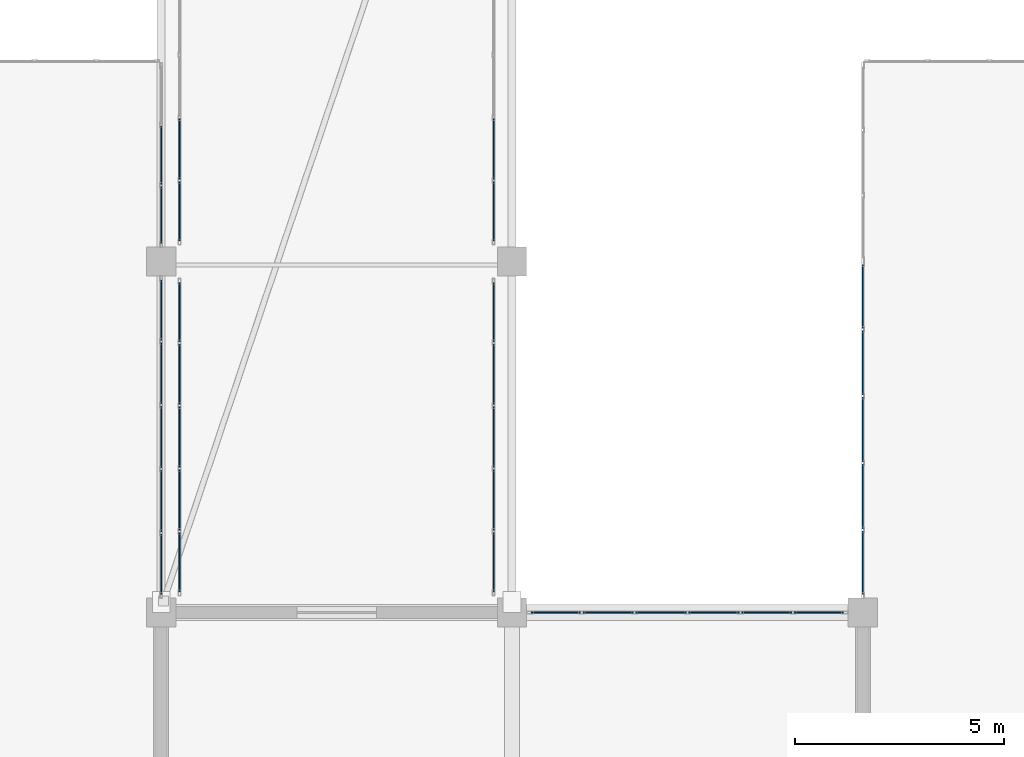
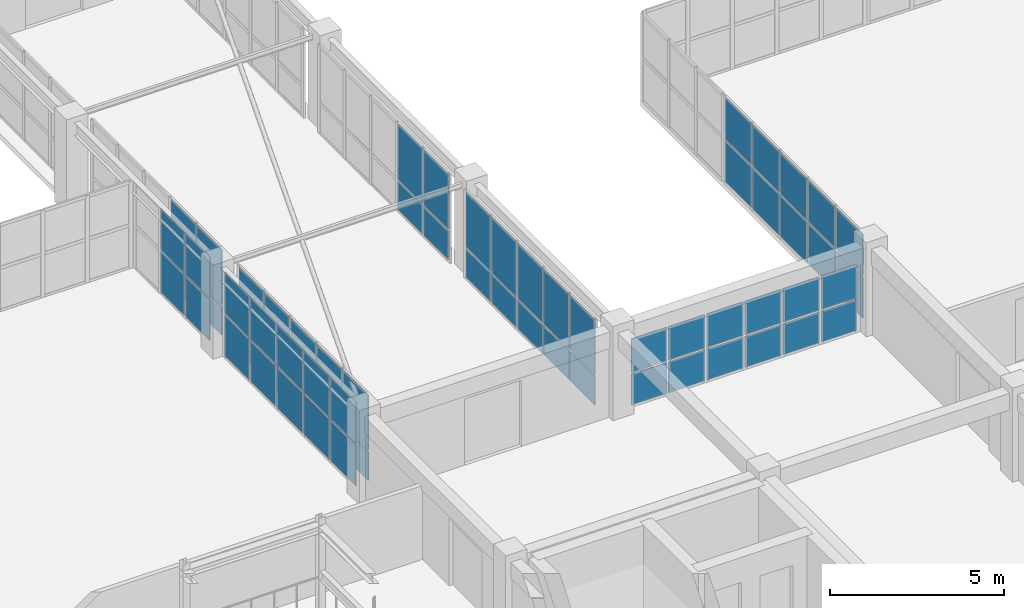
# One storey, part 104 of 148: 64 plates, 8 elements without a shape of their own.
"""IFC4 building model written with IfcOpenShell, lengths in metres."""

from ifc_helpers import new_model, si_unit, direction, frame, origin, origin_2d, place, context, subcontext, project, spatial, rectangle, extrude, material, layer, layer_set, type_object, element, aggregate, save


model = new_model("IFC4")

# Units and contexts
model_context = context("Model", 3, precision=1e-05, world=origin(), true_north=direction((0.0, 1.0)))
body_context = subcontext(model_context, "Body", "Model", "MODEL_VIEW")
ifc_project = project(units=[si_unit("LENGTHUNIT", "METRE"), si_unit("AREAUNIT", "SQUARE_METRE"), si_unit("VOLUMEUNIT", "CUBIC_METRE"), si_unit("PLANEANGLEUNIT", "RADIAN"), si_unit("MASSUNIT", "GRAM", prefix="KILO")], contexts=[model_context])

# Site, building, storey
site_placement = place(None, origin())
site = spatial("IfcSite", under=ifc_project, at=site_placement, CompositionType="ELEMENT")
building_placement = place(site_placement, origin())
building = spatial("IfcBuilding", under=site, at=building_placement, Name="Trelvath General Hospital", CompositionType="ELEMENT")
storey_placement = place(building_placement, frame((0.0, 0.0, 12.89990234375)))
storey = spatial("IfcBuildingStorey", under=building, at=storey_placement, Name="L03", CompositionType="ELEMENT", Elevation=12.89990234375)

# Curtain wall, plates
ifc_material_1 = material(Name="Anodised aluminium and low-E glass", Category="aluminium")
ifc_layer_1 = layer(ifc_material_1, 0.14990234375)
ifc_layer_set_1 = layer_set([ifc_layer_1], Name="Anodised aluminium and low-E glass")
curtain_wall_type_1 = type_object("IfcCurtainWallType", Name="CW CrystalCube 764 306 15", PredefinedType="USERDEFINED", material=ifc_layer_set_1)
curtain_wall_1_placement = place(storey_placement, origin())
curtain_wall_1 = element("IfcCurtainWall", 1, at=curtain_wall_1_placement, inside=storey, type_object=curtain_wall_type_1, Name="Crystal Cube Curtain Wall CUBE-W-T1 E4 L03", ObjectType="Unitised Glazed Curtain Wall", PredefinedType="USERDEFINED")
ifc_material_2 = material(Name="Low-E laminated glass", Category="glass")
ifc_layer_2 = layer(ifc_material_2, 0.028076171875)
ifc_layer_set_2 = layer_set([ifc_layer_2], Name="Low-E laminated glass")
plate_type_1 = type_object("IfcPlateType", Name="CurtainPanel Glass28", PredefinedType="CURTAIN_PANEL", material=ifc_layer_set_2)
plate_1_placement = place(storey_placement, frame((75.60009765625, 74.44091796875, 0.06005859375), z_axis=(0.0, 0.0, 1.0), x_axis=(0.0, -1.0, 0.0)))
plate_1 = element("IfcPlate", 2, at=plate_1_placement, type_object=plate_type_1, Name="CW-241 panel 1.1", PredefinedType="CURTAIN_PANEL", context=body_context, shape_type="SweptSolid", body=[
    extrude(rectangle(XDim=1.43798828125, YDim=0.028076171875, at=origin_2d()), origin(), (0.0, 0.0, 1.0), 1.43994140625),
])
plate_2_placement = place(storey_placement, frame((75.60009765625, 74.44091796875, 1.56005859375), z_axis=(0.0, 0.0, 1.0), x_axis=(0.0, -1.0, 0.0)))
plate_2 = element("IfcPlate", 3, at=plate_2_placement, type_object=plate_type_1, Name="CW-241 panel 1.2", PredefinedType="CURTAIN_PANEL", context=body_context, shape_type="SweptSolid", body=[
    extrude(rectangle(XDim=1.43798828125, YDim=0.028076171875, at=origin_2d()), origin(), (0.0, 0.0, 1.0), 1.43994140625),
])
plate_3_placement = place(storey_placement, frame((75.60009765625, 72.927978515625, 0.06005859375), z_axis=(0.0, 0.0, 1.0), x_axis=(0.0, -1.0, 0.0)))
plate_3 = element("IfcPlate", 4, at=plate_3_placement, type_object=plate_type_1, Name="CW-241 panel 2.1", PredefinedType="CURTAIN_PANEL", context=body_context, shape_type="SweptSolid", body=[
    extrude(rectangle(XDim=1.468017578125, YDim=0.028076171875, at=origin_2d()), origin(), (0.0, 0.0, 1.0), 1.43994140625),
])
plate_4_placement = place(storey_placement, frame((75.60009765625, 72.927978515625, 1.56005859375), z_axis=(0.0, 0.0, 1.0), x_axis=(0.0, -1.0, 0.0)))
plate_4 = element("IfcPlate", 5, at=plate_4_placement, type_object=plate_type_1, Name="CW-241 panel 2.2", PredefinedType="CURTAIN_PANEL", context=body_context, shape_type="SweptSolid", body=[
    extrude(rectangle(XDim=1.468017578125, YDim=0.028076171875, at=origin_2d()), origin(), (0.0, 0.0, 1.0), 1.43994140625),
])
plate_5_placement = place(storey_placement, frame((75.60009765625, 71.39990234375, 0.06005859375), z_axis=(0.0, 0.0, 1.0), x_axis=(0.0, -1.0, 0.0)))
plate_5 = element("IfcPlate", 6, at=plate_5_placement, type_object=plate_type_1, Name="CW-241 panel 3.1", PredefinedType="CURTAIN_PANEL", context=body_context, shape_type="SweptSolid", body=[
    extrude(rectangle(XDim=1.468017578125, YDim=0.028076171875, at=origin_2d()), origin(), (0.0, 0.0, 1.0), 1.43994140625),
])
plate_6_placement = place(storey_placement, frame((75.60009765625, 71.39990234375, 1.56005859375), z_axis=(0.0, 0.0, 1.0), x_axis=(0.0, -1.0, 0.0)))
plate_6 = element("IfcPlate", 7, at=plate_6_placement, type_object=plate_type_1, Name="CW-241 panel 3.2", PredefinedType="CURTAIN_PANEL", context=body_context, shape_type="SweptSolid", body=[
    extrude(rectangle(XDim=1.468017578125, YDim=0.028076171875, at=origin_2d()), origin(), (0.0, 0.0, 1.0), 1.43994140625),
])
plate_7_placement = place(storey_placement, frame((75.60009765625, 69.8720703125, 0.06005859375), z_axis=(0.0, 0.0, 1.0), x_axis=(0.0, -1.0, 0.0)))
plate_7 = element("IfcPlate", 8, at=plate_7_placement, type_object=plate_type_1, Name="CW-241 panel 4.1", PredefinedType="CURTAIN_PANEL", context=body_context, shape_type="SweptSolid", body=[
    extrude(rectangle(XDim=1.468017578125, YDim=0.028076171875, at=origin_2d()), origin(), (0.0, 0.0, 1.0), 1.43994140625),
])
plate_8_placement = place(storey_placement, frame((75.60009765625, 69.8720703125, 1.56005859375), z_axis=(0.0, 0.0, 1.0), x_axis=(0.0, -1.0, 0.0)))
plate_8 = element("IfcPlate", 9, at=plate_8_placement, type_object=plate_type_1, Name="CW-241 panel 4.2", PredefinedType="CURTAIN_PANEL", context=body_context, shape_type="SweptSolid", body=[
    extrude(rectangle(XDim=1.468017578125, YDim=0.028076171875, at=origin_2d()), origin(), (0.0, 0.0, 1.0), 1.43994140625),
])
plate_9_placement = place(storey_placement, frame((75.60009765625, 68.35888671875, 0.06005859375), z_axis=(0.0, 0.0, 1.0), x_axis=(0.0, -1.0, 0.0)))
plate_9 = element("IfcPlate", 10, at=plate_9_placement, type_object=plate_type_1, Name="CW-241 panel 5.1", PredefinedType="CURTAIN_PANEL", context=body_context, shape_type="SweptSolid", body=[
    extrude(rectangle(XDim=1.43798828125, YDim=0.028076171875, at=origin_2d()), origin(), (0.0, 0.0, 1.0), 1.43994140625),
])
plate_10_placement = place(storey_placement, frame((75.60009765625, 68.35888671875, 1.56005859375), z_axis=(0.0, 0.0, 1.0), x_axis=(0.0, -1.0, 0.0)))
plate_10 = element("IfcPlate", 11, at=plate_10_placement, type_object=plate_type_1, Name="CW-241 panel 5.2", PredefinedType="CURTAIN_PANEL", context=body_context, shape_type="SweptSolid", body=[
    extrude(rectangle(XDim=1.43798828125, YDim=0.028076171875, at=origin_2d()), origin(), (0.0, 0.0, 1.0), 1.43994140625),
])
aggregate(curtain_wall_1, [plate_1, plate_2, plate_3, plate_4, plate_5, plate_6, plate_7, plate_8, plate_9, plate_10])

ifc_material_3 = material(Name="Anodised aluminium and low-E glass", Category="aluminium")
ifc_layer_3 = layer(ifc_material_3, 0.14990234375)
ifc_layer_set_3 = layer_set([ifc_layer_3], Name="Anodised aluminium and low-E glass")
curtain_wall_type_2 = type_object("IfcCurtainWallType", Name="CW CrystalCube 434 306 15", PredefinedType="USERDEFINED", material=ifc_layer_set_3)
curtain_wall_2_placement = place(storey_placement, origin())
curtain_wall_2 = element("IfcCurtainWall", 12, at=curtain_wall_2_placement, inside=storey, type_object=curtain_wall_type_2, Name="Crystal Cube Curtain Wall CUBE-W-T1 E5 L03", ObjectType="Unitised Glazed Curtain Wall", PredefinedType="USERDEFINED")
plate_11_placement = place(storey_placement, frame((75.60009765625, 78.14990234375, 0.06005859375), z_axis=(0.0, 0.0, 1.0), x_axis=(0.0, -1.0, 0.0)))
plate_11 = element("IfcPlate", 13, at=plate_11_placement, type_object=plate_type_1, Name="CW-243 panel 2.1", PredefinedType="CURTAIN_PANEL", context=body_context, shape_type="SweptSolid", body=[
    extrude(rectangle(XDim=1.38671875, YDim=0.028076171875, at=origin_2d()), origin(), (0.0, 0.0, 1.0), 1.43994140625),
])
plate_12_placement = place(storey_placement, frame((75.60009765625, 78.14990234375, 1.56005859375), z_axis=(0.0, 0.0, 1.0), x_axis=(0.0, -1.0, 0.0)))
plate_12 = element("IfcPlate", 14, at=plate_12_placement, type_object=plate_type_1, Name="CW-243 panel 2.2", PredefinedType="CURTAIN_PANEL", context=body_context, shape_type="SweptSolid", body=[
    extrude(rectangle(XDim=1.38671875, YDim=0.028076171875, at=origin_2d()), origin(), (0.0, 0.0, 1.0), 1.43994140625),
])
plate_13_placement = place(storey_placement, frame((75.60009765625, 76.71826171875, 0.06005859375), z_axis=(0.0, 0.0, 1.0), x_axis=(0.0, -1.0, 0.0)))
plate_13 = element("IfcPlate", 15, at=plate_13_placement, type_object=plate_type_1, Name="CW-243 panel 3.1", PredefinedType="CURTAIN_PANEL", context=body_context, shape_type="SweptSolid", body=[
    extrude(rectangle(XDim=1.356689453125, YDim=0.028076171875, at=origin_2d()), origin(), (0.0, 0.0, 1.0), 1.43994140625),
])
plate_14_placement = place(storey_placement, frame((75.60009765625, 76.71826171875, 1.56005859375), z_axis=(0.0, 0.0, 1.0), x_axis=(0.0, -1.0, 0.0)))
plate_14 = element("IfcPlate", 16, at=plate_14_placement, type_object=plate_type_1, Name="CW-243 panel 3.2", PredefinedType="CURTAIN_PANEL", context=body_context, shape_type="SweptSolid", body=[
    extrude(rectangle(XDim=1.356689453125, YDim=0.028076171875, at=origin_2d()), origin(), (0.0, 0.0, 1.0), 1.43994140625),
])
aggregate(curtain_wall_2, [plate_11, plate_12, plate_13, plate_14])

ifc_material_4 = material(Name="Anodised aluminium and low-E glass", Category="aluminium")
ifc_layer_4 = layer(ifc_material_4, 0.14990234375)
ifc_layer_set_4 = layer_set([ifc_layer_4], Name="Anodised aluminium and low-E glass")
curtain_wall_type_3 = type_object("IfcCurtainWallType", Name="CW CrystalCube 800 306 15", PredefinedType="USERDEFINED", material=ifc_layer_set_4)
curtain_wall_3_placement = place(storey_placement, origin())
curtain_wall_3 = element("IfcCurtainWall", 17, at=curtain_wall_3_placement, inside=storey, type_object=curtain_wall_type_3, Name="Crystal Cube Curtain Wall CUBE-E-T1 W4 L03", ObjectType="Unitised Glazed Curtain Wall", PredefinedType="USERDEFINED")
plate_15_placement = place(storey_placement, frame((92.39990234375, 68.39501953125, 0.06005859375), z_axis=(0.0, 0.0, 1.0), x_axis=(0.0, 1.0, 0.0)))
plate_15 = element("IfcPlate", 18, at=plate_15_placement, type_object=plate_type_1, Name="CW-255 panel 1.1", PredefinedType="CURTAIN_PANEL", context=body_context, shape_type="SweptSolid", body=[
    extrude(rectangle(XDim=1.510009765625, YDim=0.028076171875, at=origin_2d()), origin(), (0.0, 0.0, 1.0), 1.43994140625),
])
plate_16_placement = place(storey_placement, frame((92.39990234375, 68.39501953125, 1.56005859375), z_axis=(0.0, 0.0, 1.0), x_axis=(0.0, 1.0, 0.0)))
plate_16 = element("IfcPlate", 19, at=plate_16_placement, type_object=plate_type_1, Name="CW-255 panel 1.2", PredefinedType="CURTAIN_PANEL", context=body_context, shape_type="SweptSolid", body=[
    extrude(rectangle(XDim=1.510009765625, YDim=0.028076171875, at=origin_2d()), origin(), (0.0, 0.0, 1.0), 1.43994140625),
])
plate_17_placement = place(storey_placement, frame((92.39990234375, 69.97998046875, 0.06005859375), z_axis=(0.0, 0.0, 1.0), x_axis=(0.0, 1.0, 0.0)))
plate_17 = element("IfcPlate", 20, at=plate_17_placement, type_object=plate_type_1, Name="CW-255 panel 2.1", PredefinedType="CURTAIN_PANEL", context=body_context, shape_type="SweptSolid", body=[
    extrude(rectangle(XDim=1.5400390625, YDim=0.028076171875, at=origin_2d()), origin(), (0.0, 0.0, 1.0), 1.43994140625),
])
plate_18_placement = place(storey_placement, frame((92.39990234375, 69.97998046875, 1.56005859375), z_axis=(0.0, 0.0, 1.0), x_axis=(0.0, 1.0, 0.0)))
plate_18 = element("IfcPlate", 21, at=plate_18_placement, type_object=plate_type_1, Name="CW-255 panel 2.2", PredefinedType="CURTAIN_PANEL", context=body_context, shape_type="SweptSolid", body=[
    extrude(rectangle(XDim=1.5400390625, YDim=0.028076171875, at=origin_2d()), origin(), (0.0, 0.0, 1.0), 1.43994140625),
])
plate_19_placement = place(storey_placement, frame((92.39990234375, 71.580078125, 0.06005859375), z_axis=(0.0, 0.0, 1.0), x_axis=(0.0, 1.0, 0.0)))
plate_19 = element("IfcPlate", 22, at=plate_19_placement, type_object=plate_type_1, Name="CW-255 panel 3.1", PredefinedType="CURTAIN_PANEL", context=body_context, shape_type="SweptSolid", body=[
    extrude(rectangle(XDim=1.5400390625, YDim=0.028076171875, at=origin_2d()), origin(), (0.0, 0.0, 1.0), 1.43994140625),
])
plate_20_placement = place(storey_placement, frame((92.39990234375, 71.580078125, 1.56005859375), z_axis=(0.0, 0.0, 1.0), x_axis=(0.0, 1.0, 0.0)))
plate_20 = element("IfcPlate", 23, at=plate_20_placement, type_object=plate_type_1, Name="CW-255 panel 3.2", PredefinedType="CURTAIN_PANEL", context=body_context, shape_type="SweptSolid", body=[
    extrude(rectangle(XDim=1.5400390625, YDim=0.028076171875, at=origin_2d()), origin(), (0.0, 0.0, 1.0), 1.43994140625),
])
plate_21_placement = place(storey_placement, frame((92.39990234375, 73.179931640625, 0.06005859375), z_axis=(0.0, 0.0, 1.0), x_axis=(0.0, 1.0, 0.0)))
plate_21 = element("IfcPlate", 24, at=plate_21_placement, type_object=plate_type_1, Name="CW-255 panel 4.1", PredefinedType="CURTAIN_PANEL", context=body_context, shape_type="SweptSolid", body=[
    extrude(rectangle(XDim=1.5400390625, YDim=0.028076171875, at=origin_2d()), origin(), (0.0, 0.0, 1.0), 1.43994140625),
])
plate_22_placement = place(storey_placement, frame((92.39990234375, 73.179931640625, 1.56005859375), z_axis=(0.0, 0.0, 1.0), x_axis=(0.0, 1.0, 0.0)))
plate_22 = element("IfcPlate", 25, at=plate_22_placement, type_object=plate_type_1, Name="CW-255 panel 4.2", PredefinedType="CURTAIN_PANEL", context=body_context, shape_type="SweptSolid", body=[
    extrude(rectangle(XDim=1.5400390625, YDim=0.028076171875, at=origin_2d()), origin(), (0.0, 0.0, 1.0), 1.43994140625),
])
plate_23_placement = place(storey_placement, frame((92.39990234375, 74.764892578125, 0.06005859375), z_axis=(0.0, 0.0, 1.0), x_axis=(0.0, 1.0, 0.0)))
plate_23 = element("IfcPlate", 26, at=plate_23_placement, type_object=plate_type_1, Name="CW-255 panel 5.1", PredefinedType="CURTAIN_PANEL", context=body_context, shape_type="SweptSolid", body=[
    extrude(rectangle(XDim=1.510009765625, YDim=0.028076171875, at=origin_2d()), origin(), (0.0, 0.0, 1.0), 1.43994140625),
])
plate_24_placement = place(storey_placement, frame((92.39990234375, 74.764892578125, 1.56005859375), z_axis=(0.0, 0.0, 1.0), x_axis=(0.0, 1.0, 0.0)))
plate_24 = element("IfcPlate", 27, at=plate_24_placement, type_object=plate_type_1, Name="CW-255 panel 5.2", PredefinedType="CURTAIN_PANEL", context=body_context, shape_type="SweptSolid", body=[
    extrude(rectangle(XDim=1.510009765625, YDim=0.028076171875, at=origin_2d()), origin(), (0.0, 0.0, 1.0), 1.43994140625),
])
aggregate(curtain_wall_3, [plate_15, plate_16, plate_17, plate_18, plate_19, plate_20, plate_21, plate_22, plate_23, plate_24])

ifc_material_5 = material(Name="Anodised aluminium and low-E glass", Category="aluminium")
ifc_layer_5 = layer(ifc_material_5, 0.139892578125)
ifc_layer_set_5 = layer_set([ifc_layer_5], Name="Anodised aluminium and low-E glass")
curtain_wall_type_4 = type_object("IfcCurtainWallType", Name="CW Bridge 752 311", PredefinedType="USERDEFINED", material=ifc_layer_set_5)
curtain_wall_4_placement = place(storey_placement, origin())
curtain_wall_4 = element("IfcCurtainWall", 28, at=curtain_wall_4_placement, inside=storey, type_object=curtain_wall_type_4, Name="Glazed Bridge Curtain Wall BRG-N-C W L03", ObjectType="Unitised Glazed Curtain Wall", PredefinedType="USERDEFINED")
plate_25_placement = place(storey_placement, frame((76.0400390625, 68.406982421875, 0.06005859375), z_axis=(0.0, 0.0, 1.0), x_axis=(0.0, 1.0, 0.0)))
plate_25 = element("IfcPlate", 29, at=plate_25_placement, type_object=plate_type_1, Name="CW-258 panel 1.1", PredefinedType="CURTAIN_PANEL", context=body_context, shape_type="SweptSolid", body=[
    extrude(rectangle(XDim=1.4140625, YDim=0.028076171875, at=origin_2d()), origin(), (0.0, 0.0, 1.0), 1.010009765625),
])
plate_26_placement = place(storey_placement, frame((76.0400390625, 68.406982421875, 1.130126953125), z_axis=(0.0, 0.0, 1.0), x_axis=(0.0, 1.0, 0.0)))
plate_26 = element("IfcPlate", 30, at=plate_26_placement, type_object=plate_type_1, Name="CW-258 panel 1.2", PredefinedType="CURTAIN_PANEL", context=body_context, shape_type="SweptSolid", body=[
    extrude(rectangle(XDim=1.4140625, YDim=0.028076171875, at=origin_2d()), origin(), (0.0, 0.0, 1.0), 1.919921875),
])
plate_27_placement = place(storey_placement, frame((76.0400390625, 69.89599609375, 0.06005859375), z_axis=(0.0, 0.0, 1.0), x_axis=(0.0, 1.0, 0.0)))
plate_27 = element("IfcPlate", 31, at=plate_27_placement, type_object=plate_type_1, Name="CW-258 panel 2.1", PredefinedType="CURTAIN_PANEL", context=body_context, shape_type="SweptSolid", body=[
    extrude(rectangle(XDim=1.444091796875, YDim=0.028076171875, at=origin_2d()), origin(), (0.0, 0.0, 1.0), 1.010009765625),
])
plate_28_placement = place(storey_placement, frame((76.0400390625, 69.89599609375, 1.130126953125), z_axis=(0.0, 0.0, 1.0), x_axis=(0.0, 1.0, 0.0)))
plate_28 = element("IfcPlate", 32, at=plate_28_placement, type_object=plate_type_1, Name="CW-258 panel 2.2", PredefinedType="CURTAIN_PANEL", context=body_context, shape_type="SweptSolid", body=[
    extrude(rectangle(XDim=1.444091796875, YDim=0.028076171875, at=origin_2d()), origin(), (0.0, 0.0, 1.0), 1.919921875),
])
plate_29_placement = place(storey_placement, frame((76.0400390625, 71.39990234375, 0.06005859375), z_axis=(0.0, 0.0, 1.0), x_axis=(0.0, 1.0, 0.0)))
plate_29 = element("IfcPlate", 33, at=plate_29_placement, type_object=plate_type_1, Name="CW-258 panel 3.1", PredefinedType="CURTAIN_PANEL", context=body_context, shape_type="SweptSolid", body=[
    extrude(rectangle(XDim=1.444091796875, YDim=0.028076171875, at=origin_2d()), origin(), (0.0, 0.0, 1.0), 1.010009765625),
])
plate_30_placement = place(storey_placement, frame((76.0400390625, 71.39990234375, 1.130126953125), z_axis=(0.0, 0.0, 1.0), x_axis=(0.0, 1.0, 0.0)))
plate_30 = element("IfcPlate", 34, at=plate_30_placement, type_object=plate_type_1, Name="CW-258 panel 3.2", PredefinedType="CURTAIN_PANEL", context=body_context, shape_type="SweptSolid", body=[
    extrude(rectangle(XDim=1.444091796875, YDim=0.028076171875, at=origin_2d()), origin(), (0.0, 0.0, 1.0), 1.919921875),
])
plate_31_placement = place(storey_placement, frame((76.0400390625, 72.904052734375, 0.06005859375), z_axis=(0.0, 0.0, 1.0), x_axis=(0.0, 1.0, 0.0)))
plate_31 = element("IfcPlate", 35, at=plate_31_placement, type_object=plate_type_1, Name="CW-258 panel 4.1", PredefinedType="CURTAIN_PANEL", context=body_context, shape_type="SweptSolid", body=[
    extrude(rectangle(XDim=1.444091796875, YDim=0.028076171875, at=origin_2d()), origin(), (0.0, 0.0, 1.0), 1.010009765625),
])
plate_32_placement = place(storey_placement, frame((76.0400390625, 72.904052734375, 1.130126953125), z_axis=(0.0, 0.0, 1.0), x_axis=(0.0, 1.0, 0.0)))
plate_32 = element("IfcPlate", 36, at=plate_32_placement, type_object=plate_type_1, Name="CW-258 panel 4.2", PredefinedType="CURTAIN_PANEL", context=body_context, shape_type="SweptSolid", body=[
    extrude(rectangle(XDim=1.444091796875, YDim=0.028076171875, at=origin_2d()), origin(), (0.0, 0.0, 1.0), 1.919921875),
])
plate_33_placement = place(storey_placement, frame((76.0400390625, 74.39306640625, 0.06005859375), z_axis=(0.0, 0.0, 1.0), x_axis=(0.0, 1.0, 0.0)))
plate_33 = element("IfcPlate", 37, at=plate_33_placement, type_object=plate_type_1, Name="CW-258 panel 5.1", PredefinedType="CURTAIN_PANEL", context=body_context, shape_type="SweptSolid", body=[
    extrude(rectangle(XDim=1.4140625, YDim=0.028076171875, at=origin_2d()), origin(), (0.0, 0.0, 1.0), 1.010009765625),
])
plate_34_placement = place(storey_placement, frame((76.0400390625, 74.39306640625, 1.130126953125), z_axis=(0.0, 0.0, 1.0), x_axis=(0.0, 1.0, 0.0)))
plate_34 = element("IfcPlate", 38, at=plate_34_placement, type_object=plate_type_1, Name="CW-258 panel 5.2", PredefinedType="CURTAIN_PANEL", context=body_context, shape_type="SweptSolid", body=[
    extrude(rectangle(XDim=1.4140625, YDim=0.028076171875, at=origin_2d()), origin(), (0.0, 0.0, 1.0), 1.919921875),
])
aggregate(curtain_wall_4, [plate_25, plate_26, plate_27, plate_28, plate_29, plate_30, plate_31, plate_32, plate_33, plate_34])

curtain_wall_5_placement = place(storey_placement, origin())
curtain_wall_5 = element("IfcCurtainWall", 39, at=curtain_wall_5_placement, inside=storey, type_object=curtain_wall_type_4, Name="Glazed Bridge Curtain Wall BRG-N-C E L03", ObjectType="Unitised Glazed Curtain Wall", PredefinedType="USERDEFINED")
plate_35_placement = place(storey_placement, frame((83.56005859375, 74.39306640625, 0.06005859375), z_axis=(0.0, 0.0, 1.0), x_axis=(0.0, -1.0, 0.0)))
plate_35 = element("IfcPlate", 40, at=plate_35_placement, type_object=plate_type_1, Name="CW-259 panel 1.1", PredefinedType="CURTAIN_PANEL", context=body_context, shape_type="SweptSolid", body=[
    extrude(rectangle(XDim=1.4140625, YDim=0.028076171875, at=origin_2d()), origin(), (0.0, 0.0, 1.0), 1.010009765625),
])
plate_36_placement = place(storey_placement, frame((83.56005859375, 74.39306640625, 1.130126953125), z_axis=(0.0, 0.0, 1.0), x_axis=(0.0, -1.0, 0.0)))
plate_36 = element("IfcPlate", 41, at=plate_36_placement, type_object=plate_type_1, Name="CW-259 panel 1.2", PredefinedType="CURTAIN_PANEL", context=body_context, shape_type="SweptSolid", body=[
    extrude(rectangle(XDim=1.4140625, YDim=0.028076171875, at=origin_2d()), origin(), (0.0, 0.0, 1.0), 1.919921875),
])
plate_37_placement = place(storey_placement, frame((83.56005859375, 72.904052734375, 0.06005859375), z_axis=(0.0, 0.0, 1.0), x_axis=(0.0, -1.0, 0.0)))
plate_37 = element("IfcPlate", 42, at=plate_37_placement, type_object=plate_type_1, Name="CW-259 panel 2.1", PredefinedType="CURTAIN_PANEL", context=body_context, shape_type="SweptSolid", body=[
    extrude(rectangle(XDim=1.444091796875, YDim=0.028076171875, at=origin_2d()), origin(), (0.0, 0.0, 1.0), 1.010009765625),
])
plate_38_placement = place(storey_placement, frame((83.56005859375, 72.904052734375, 1.130126953125), z_axis=(0.0, 0.0, 1.0), x_axis=(0.0, -1.0, 0.0)))
plate_38 = element("IfcPlate", 43, at=plate_38_placement, type_object=plate_type_1, Name="CW-259 panel 2.2", PredefinedType="CURTAIN_PANEL", context=body_context, shape_type="SweptSolid", body=[
    extrude(rectangle(XDim=1.444091796875, YDim=0.028076171875, at=origin_2d()), origin(), (0.0, 0.0, 1.0), 1.919921875),
])
plate_39_placement = place(storey_placement, frame((83.56005859375, 71.39990234375, 0.06005859375), z_axis=(0.0, 0.0, 1.0), x_axis=(0.0, -1.0, 0.0)))
plate_39 = element("IfcPlate", 44, at=plate_39_placement, type_object=plate_type_1, Name="CW-259 panel 3.1", PredefinedType="CURTAIN_PANEL", context=body_context, shape_type="SweptSolid", body=[
    extrude(rectangle(XDim=1.444091796875, YDim=0.028076171875, at=origin_2d()), origin(), (0.0, 0.0, 1.0), 1.010009765625),
])
plate_40_placement = place(storey_placement, frame((83.56005859375, 71.39990234375, 1.130126953125), z_axis=(0.0, 0.0, 1.0), x_axis=(0.0, -1.0, 0.0)))
plate_40 = element("IfcPlate", 45, at=plate_40_placement, type_object=plate_type_1, Name="CW-259 panel 3.2", PredefinedType="CURTAIN_PANEL", context=body_context, shape_type="SweptSolid", body=[
    extrude(rectangle(XDim=1.444091796875, YDim=0.028076171875, at=origin_2d()), origin(), (0.0, 0.0, 1.0), 1.919921875),
])
plate_41_placement = place(storey_placement, frame((83.56005859375, 69.89599609375, 0.06005859375), z_axis=(0.0, 0.0, 1.0), x_axis=(0.0, -1.0, 0.0)))
plate_41 = element("IfcPlate", 46, at=plate_41_placement, type_object=plate_type_1, Name="CW-259 panel 4.1", PredefinedType="CURTAIN_PANEL", context=body_context, shape_type="SweptSolid", body=[
    extrude(rectangle(XDim=1.444091796875, YDim=0.028076171875, at=origin_2d()), origin(), (0.0, 0.0, 1.0), 1.010009765625),
])
plate_42_placement = place(storey_placement, frame((83.56005859375, 69.89599609375, 1.130126953125), z_axis=(0.0, 0.0, 1.0), x_axis=(0.0, -1.0, 0.0)))
plate_42 = element("IfcPlate", 47, at=plate_42_placement, type_object=plate_type_1, Name="CW-259 panel 4.2", PredefinedType="CURTAIN_PANEL", context=body_context, shape_type="SweptSolid", body=[
    extrude(rectangle(XDim=1.444091796875, YDim=0.028076171875, at=origin_2d()), origin(), (0.0, 0.0, 1.0), 1.919921875),
])
plate_43_placement = place(storey_placement, frame((83.56005859375, 68.406982421875, 0.06005859375), z_axis=(0.0, 0.0, 1.0), x_axis=(0.0, -1.0, 0.0)))
plate_43 = element("IfcPlate", 48, at=plate_43_placement, type_object=plate_type_1, Name="CW-259 panel 5.1", PredefinedType="CURTAIN_PANEL", context=body_context, shape_type="SweptSolid", body=[
    extrude(rectangle(XDim=1.4140625, YDim=0.028076171875, at=origin_2d()), origin(), (0.0, 0.0, 1.0), 1.010009765625),
])
plate_44_placement = place(storey_placement, frame((83.56005859375, 68.406982421875, 1.130126953125), z_axis=(0.0, 0.0, 1.0), x_axis=(0.0, -1.0, 0.0)))
plate_44 = element("IfcPlate", 49, at=plate_44_placement, type_object=plate_type_1, Name="CW-259 panel 5.2", PredefinedType="CURTAIN_PANEL", context=body_context, shape_type="SweptSolid", body=[
    extrude(rectangle(XDim=1.4140625, YDim=0.028076171875, at=origin_2d()), origin(), (0.0, 0.0, 1.0), 1.919921875),
])
aggregate(curtain_wall_5, [plate_35, plate_36, plate_37, plate_38, plate_39, plate_40, plate_41, plate_42, plate_43, plate_44])

curtain_wall_6_placement = place(storey_placement, origin())
curtain_wall_6 = element("IfcCurtainWall", 50, at=curtain_wall_6_placement, inside=storey, type_object=curtain_wall_type_4, Name="Glazed Bridge Curtain Wall BRG-N-C W L03", ObjectType="Unitised Glazed Curtain Wall", PredefinedType="USERDEFINED")
plate_45_placement = place(storey_placement, frame((76.0400390625, 76.806884765625, 0.06005859375), z_axis=(0.0, 0.0, 1.0), x_axis=(0.0, 1.0, 0.0)))
plate_45 = element("IfcPlate", 51, at=plate_45_placement, type_object=plate_type_1, Name="CW-260 panel 1.1", PredefinedType="CURTAIN_PANEL", context=body_context, shape_type="SweptSolid", body=[
    extrude(rectangle(XDim=1.4140625, YDim=0.028076171875, at=origin_2d()), origin(), (0.0, 0.0, 1.0), 1.010009765625),
])
plate_46_placement = place(storey_placement, frame((76.0400390625, 76.806884765625, 1.130126953125), z_axis=(0.0, 0.0, 1.0), x_axis=(0.0, 1.0, 0.0)))
plate_46 = element("IfcPlate", 52, at=plate_46_placement, type_object=plate_type_1, Name="CW-260 panel 1.2", PredefinedType="CURTAIN_PANEL", context=body_context, shape_type="SweptSolid", body=[
    extrude(rectangle(XDim=1.4140625, YDim=0.028076171875, at=origin_2d()), origin(), (0.0, 0.0, 1.0), 1.919921875),
])
plate_47_placement = place(storey_placement, frame((76.0400390625, 78.2958984375, 0.06005859375), z_axis=(0.0, 0.0, 1.0), x_axis=(0.0, 1.0, 0.0)))
plate_47 = element("IfcPlate", 53, at=plate_47_placement, type_object=plate_type_1, Name="CW-260 panel 2.1", PredefinedType="CURTAIN_PANEL", context=body_context, shape_type="SweptSolid", body=[
    extrude(rectangle(XDim=1.444091796875, YDim=0.028076171875, at=origin_2d()), origin(), (0.0, 0.0, 1.0), 1.010009765625),
])
plate_48_placement = place(storey_placement, frame((76.0400390625, 78.2958984375, 1.130126953125), z_axis=(0.0, 0.0, 1.0), x_axis=(0.0, 1.0, 0.0)))
plate_48 = element("IfcPlate", 54, at=plate_48_placement, type_object=plate_type_1, Name="CW-260 panel 2.2", PredefinedType="CURTAIN_PANEL", context=body_context, shape_type="SweptSolid", body=[
    extrude(rectangle(XDim=1.444091796875, YDim=0.028076171875, at=origin_2d()), origin(), (0.0, 0.0, 1.0), 1.919921875),
])
aggregate(curtain_wall_6, [plate_45, plate_46, plate_47, plate_48])

curtain_wall_7_placement = place(storey_placement, origin())
curtain_wall_7 = element("IfcCurtainWall", 55, at=curtain_wall_7_placement, inside=storey, type_object=curtain_wall_type_4, Name="Glazed Bridge Curtain Wall BRG-N-C E L03", ObjectType="Unitised Glazed Curtain Wall", PredefinedType="USERDEFINED")
plate_49_placement = place(storey_placement, frame((83.56005859375, 78.2958984375, 0.06005859375), z_axis=(0.0, 0.0, 1.0), x_axis=(0.0, -1.0, 0.0)))
plate_49 = element("IfcPlate", 56, at=plate_49_placement, type_object=plate_type_1, Name="CW-261 panel 4.1", PredefinedType="CURTAIN_PANEL", context=body_context, shape_type="SweptSolid", body=[
    extrude(rectangle(XDim=1.444091796875, YDim=0.028076171875, at=origin_2d()), origin(), (0.0, 0.0, 1.0), 1.010009765625),
])
plate_50_placement = place(storey_placement, frame((83.56005859375, 78.2958984375, 1.130126953125), z_axis=(0.0, 0.0, 1.0), x_axis=(0.0, -1.0, 0.0)))
plate_50 = element("IfcPlate", 57, at=plate_50_placement, type_object=plate_type_1, Name="CW-261 panel 4.2", PredefinedType="CURTAIN_PANEL", context=body_context, shape_type="SweptSolid", body=[
    extrude(rectangle(XDim=1.444091796875, YDim=0.028076171875, at=origin_2d()), origin(), (0.0, 0.0, 1.0), 1.919921875),
])
plate_51_placement = place(storey_placement, frame((83.56005859375, 76.806884765625, 0.06005859375), z_axis=(0.0, 0.0, 1.0), x_axis=(0.0, -1.0, 0.0)))
plate_51 = element("IfcPlate", 58, at=plate_51_placement, type_object=plate_type_1, Name="CW-261 panel 5.1", PredefinedType="CURTAIN_PANEL", context=body_context, shape_type="SweptSolid", body=[
    extrude(rectangle(XDim=1.4140625, YDim=0.028076171875, at=origin_2d()), origin(), (0.0, 0.0, 1.0), 1.010009765625),
])
plate_52_placement = place(storey_placement, frame((83.56005859375, 76.806884765625, 1.130126953125), z_axis=(0.0, 0.0, 1.0), x_axis=(0.0, -1.0, 0.0)))
plate_52 = element("IfcPlate", 59, at=plate_52_placement, type_object=plate_type_1, Name="CW-261 panel 5.2", PredefinedType="CURTAIN_PANEL", context=body_context, shape_type="SweptSolid", body=[
    extrude(rectangle(XDim=1.4140625, YDim=0.028076171875, at=origin_2d()), origin(), (0.0, 0.0, 1.0), 1.919921875),
])
aggregate(curtain_wall_7, [plate_49, plate_50, plate_51, plate_52])

ifc_material_6 = material(Name="Anodised aluminium and low-E glass", Category="aluminium")
ifc_layer_6 = layer(ifc_material_6, 0.159912109375)
ifc_layer_set_6 = layer_set([ifc_layer_6], Name="Anodised aluminium and low-E glass")
curtain_wall_type_5 = type_object("IfcCurtainWallType", Name="CW Facade 759 244 16", PredefinedType="USERDEFINED", material=ifc_layer_set_6)
curtain_wall_8_placement = place(storey_placement, origin())
curtain_wall_8 = element("IfcCurtainWall", 60, at=curtain_wall_8_placement, inside=storey, type_object=curtain_wall_type_5, Name="Facade Curtain Wall CW-059", ObjectType="Unitised Glazed Curtain Wall", PredefinedType="USERDEFINED")
ifc_material_7 = material(Name="Low-E laminated glass", Category="glass")
ifc_layer_7 = layer(ifc_material_7, 0.035888671875)
ifc_layer_set_7 = layer_set([ifc_layer_7], Name="Low-E laminated glass")
plate_type_2 = type_object("IfcPlateType", Name="CurtainPanel Glass36", PredefinedType="CURTAIN_PANEL", material=ifc_layer_set_7)
plate_53_placement = place(storey_placement, frame((85.052490234375, 67.199951171875, 0.06005859375), z_axis=(0.0, 0.0, 1.0), x_axis=(1.0, 0.0, 0.0)))
plate_53 = element("IfcPlate", 61, at=plate_53_placement, type_object=plate_type_2, Name="CW-059 panel 1.1", PredefinedType="CURTAIN_PANEL", context=body_context, shape_type="SweptSolid", body=[
    extrude(rectangle(XDim=1.175048828125, YDim=0.035888671875, at=origin_2d()), origin(), (0.0, 0.0, 1.0), 1.0810546875),
])
plate_54_placement = place(storey_placement, frame((85.052490234375, 67.199951171875, 1.201171875), z_axis=(0.0, 0.0, 1.0), x_axis=(1.0, 0.0, 0.0)))
plate_54 = element("IfcPlate", 62, at=plate_54_placement, type_object=plate_type_2, Name="CW-059 panel 1.2", PredefinedType="CURTAIN_PANEL", context=body_context, shape_type="SweptSolid", body=[
    extrude(rectangle(XDim=1.175048828125, YDim=0.035888671875, at=origin_2d()), origin(), (0.0, 0.0, 1.0), 1.178955078125),
])
plate_55_placement = place(storey_placement, frame((86.302490234375, 67.199951171875, 0.06005859375), z_axis=(0.0, 0.0, 1.0), x_axis=(1.0, 0.0, 0.0)))
plate_55 = element("IfcPlate", 63, at=plate_55_placement, type_object=plate_type_2, Name="CW-059 panel 2.1", PredefinedType="CURTAIN_PANEL", context=body_context, shape_type="SweptSolid", body=[
    extrude(rectangle(XDim=1.205078125, YDim=0.035888671875, at=origin_2d()), origin(), (0.0, 0.0, 1.0), 1.0810546875),
])
plate_56_placement = place(storey_placement, frame((86.302490234375, 67.199951171875, 1.201171875), z_axis=(0.0, 0.0, 1.0), x_axis=(1.0, 0.0, 0.0)))
plate_56 = element("IfcPlate", 64, at=plate_56_placement, type_object=plate_type_2, Name="CW-059 panel 2.2", PredefinedType="CURTAIN_PANEL", context=body_context, shape_type="SweptSolid", body=[
    extrude(rectangle(XDim=1.205078125, YDim=0.035888671875, at=origin_2d()), origin(), (0.0, 0.0, 1.0), 1.178955078125),
])
plate_57_placement = place(storey_placement, frame((87.5673828125, 67.199951171875, 0.06005859375), z_axis=(0.0, 0.0, 1.0), x_axis=(1.0, 0.0, 0.0)))
plate_57 = element("IfcPlate", 65, at=plate_57_placement, type_object=plate_type_2, Name="CW-059 panel 3.1", PredefinedType="CURTAIN_PANEL", context=body_context, shape_type="SweptSolid", body=[
    extrude(rectangle(XDim=1.205078125, YDim=0.035888671875, at=origin_2d()), origin(), (0.0, 0.0, 1.0), 1.0810546875),
])
plate_58_placement = place(storey_placement, frame((87.5673828125, 67.199951171875, 1.201171875), z_axis=(0.0, 0.0, 1.0), x_axis=(1.0, 0.0, 0.0)))
plate_58 = element("IfcPlate", 66, at=plate_58_placement, type_object=plate_type_2, Name="CW-059 panel 3.2", PredefinedType="CURTAIN_PANEL", context=body_context, shape_type="SweptSolid", body=[
    extrude(rectangle(XDim=1.205078125, YDim=0.035888671875, at=origin_2d()), origin(), (0.0, 0.0, 1.0), 1.178955078125),
])
plate_59_placement = place(storey_placement, frame((88.83251953125, 67.199951171875, 0.06005859375), z_axis=(0.0, 0.0, 1.0), x_axis=(1.0, 0.0, 0.0)))
plate_59 = element("IfcPlate", 67, at=plate_59_placement, type_object=plate_type_2, Name="CW-059 panel 4.1", PredefinedType="CURTAIN_PANEL", context=body_context, shape_type="SweptSolid", body=[
    extrude(rectangle(XDim=1.205078125, YDim=0.035888671875, at=origin_2d()), origin(), (0.0, 0.0, 1.0), 1.0810546875),
])
plate_60_placement = place(storey_placement, frame((88.83251953125, 67.199951171875, 1.201171875), z_axis=(0.0, 0.0, 1.0), x_axis=(1.0, 0.0, 0.0)))
plate_60 = element("IfcPlate", 68, at=plate_60_placement, type_object=plate_type_2, Name="CW-059 panel 4.2", PredefinedType="CURTAIN_PANEL", context=body_context, shape_type="SweptSolid", body=[
    extrude(rectangle(XDim=1.205078125, YDim=0.035888671875, at=origin_2d()), origin(), (0.0, 0.0, 1.0), 1.178955078125),
])
plate_61_placement = place(storey_placement, frame((90.097412109375, 67.199951171875, 0.06005859375), z_axis=(0.0, 0.0, 1.0), x_axis=(1.0, 0.0, 0.0)))
plate_61 = element("IfcPlate", 69, at=plate_61_placement, type_object=plate_type_2, Name="CW-059 panel 5.1", PredefinedType="CURTAIN_PANEL", context=body_context, shape_type="SweptSolid", body=[
    extrude(rectangle(XDim=1.205078125, YDim=0.035888671875, at=origin_2d()), origin(), (0.0, 0.0, 1.0), 1.0810546875),
])
plate_62_placement = place(storey_placement, frame((90.097412109375, 67.199951171875, 1.201171875), z_axis=(0.0, 0.0, 1.0), x_axis=(1.0, 0.0, 0.0)))
plate_62 = element("IfcPlate", 70, at=plate_62_placement, type_object=plate_type_2, Name="CW-059 panel 5.2", PredefinedType="CURTAIN_PANEL", context=body_context, shape_type="SweptSolid", body=[
    extrude(rectangle(XDim=1.205078125, YDim=0.035888671875, at=origin_2d()), origin(), (0.0, 0.0, 1.0), 1.178955078125),
])
plate_63_placement = place(storey_placement, frame((91.347412109375, 67.199951171875, 0.06005859375), z_axis=(0.0, 0.0, 1.0), x_axis=(1.0, 0.0, 0.0)))
plate_63 = element("IfcPlate", 71, at=plate_63_placement, type_object=plate_type_2, Name="CW-059 panel 6.1", PredefinedType="CURTAIN_PANEL", context=body_context, shape_type="SweptSolid", body=[
    extrude(rectangle(XDim=1.175048828125, YDim=0.035888671875, at=origin_2d()), origin(), (0.0, 0.0, 1.0), 1.0810546875),
])
plate_64_placement = place(storey_placement, frame((91.347412109375, 67.199951171875, 1.201171875), z_axis=(0.0, 0.0, 1.0), x_axis=(1.0, 0.0, 0.0)))
plate_64 = element("IfcPlate", 72, at=plate_64_placement, type_object=plate_type_2, Name="CW-059 panel 6.2", PredefinedType="CURTAIN_PANEL", context=body_context, shape_type="SweptSolid", body=[
    extrude(rectangle(XDim=1.175048828125, YDim=0.035888671875, at=origin_2d()), origin(), (0.0, 0.0, 1.0), 1.178955078125),
])
aggregate(curtain_wall_8, [plate_53, plate_54, plate_55, plate_56, plate_57, plate_58, plate_59, plate_60, plate_61, plate_62, plate_63, plate_64])

save(model, "model.ifc")
